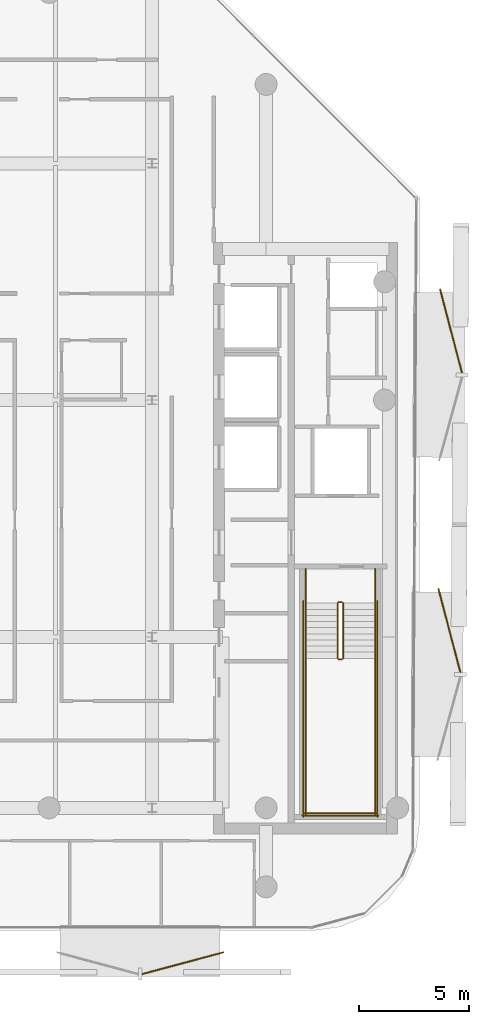
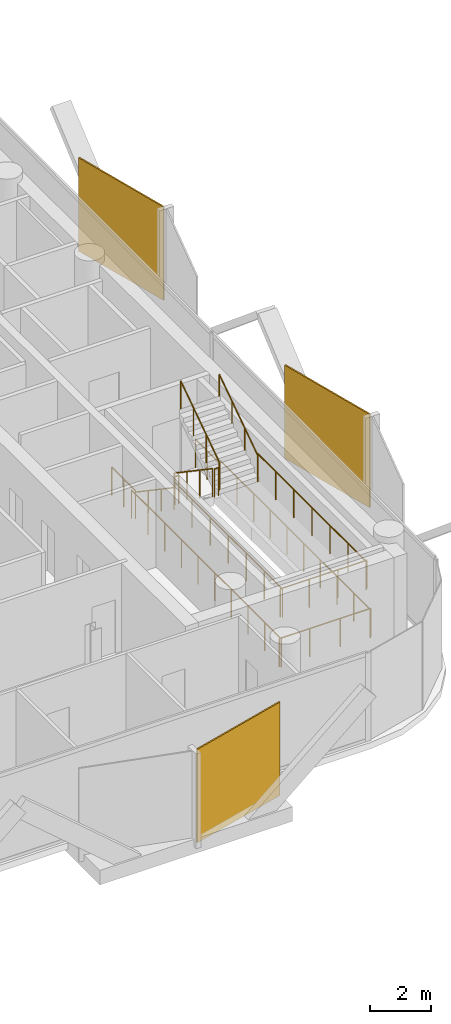
# One storey, part 16 of 17: 14 railings, 3 coverings.
"""IFC4 building model written with IfcOpenShell, lengths in metres."""

from ifc_helpers import new_model, si_unit, direction, frame, origin, origin_2d, place, context, subcontext, project, spatial, rectangle, circle, extrude, material, layer, layer_set, type_object, element, save


model = new_model("IFC4")

# Units and contexts
model_context = context("Model", 3, precision=1e-05, world=origin(), true_north=direction((0.0, 1.0)))
body_context = subcontext(model_context, "Body", "Model", "MODEL_VIEW")
ifc_project = project(units=[si_unit("LENGTHUNIT", "METRE"), si_unit("AREAUNIT", "SQUARE_METRE"), si_unit("VOLUMEUNIT", "CUBIC_METRE"), si_unit("PLANEANGLEUNIT", "RADIAN"), si_unit("MASSUNIT", "GRAM", prefix="KILO")], contexts=[model_context])

# Site, building, storey
site_placement = place(None, origin())
site = spatial("IfcSite", under=ifc_project, at=site_placement, CompositionType="ELEMENT")
building_placement = place(site_placement, origin())
building = spatial("IfcBuilding", under=site, at=building_placement, Name="Khairoan Windgate Tower", CompositionType="ELEMENT")
storey_placement = place(building_placement, frame((0.0, 0.0, 308.0)))
storey = spatial("IfcBuildingStorey", under=building, at=storey_placement, Name="L74", CompositionType="ELEMENT", Elevation=308.0)

# Coverings
ifc_material_1 = material(Name="Anodised Bronze Aluminium 6063-T6", Category="aluminium")
ifc_layer = layer(ifc_material_1, 0.054931640625, Name="Anodised Bronze Aluminium 6063-T6")
ifc_layer_set = layer_set([ifc_layer], Name="Anodised Bronze Aluminium 6063-T6")
covering_type = type_object("IfcCoveringType", Name="Perforated Bronze-Ceramic Folded Solar Screen Cladding BSC-1", PredefinedType="CLADDING", material=ifc_layer_set)
covering_placement = place(storey_placement, frame((10.605712890625, -25.68212890625, -0.10009765625), z_axis=(0.0, 0.0, 1.0), x_axis=(-0.965925826289, -0.258819045103, 0.0)))
element("IfcCovering", 1, at=covering_placement, inside=storey, type_object=covering_type, Name="L74 Folded Bronze Solar Screen Facet 518L", PredefinedType="CLADDING", context=body_context, shape_type="SweptSolid", body=[
    extrude(rectangle(XDim=3.846923828125, YDim=0.054931640625, at=origin_2d()), origin(), (0.0, 0.0, 1.0), 3.739990234375),
])
for number, where, z_axis, x_axis, name in (
    (2, (22.834228515625, 3.147705078125, -0.10009765625), (0.0, 0.0, 1.0), (0.253420288991, -0.967356272077, 0.0), "L74 Folded Bronze Solar Screen Facet 524L"),
    (3, (22.759033203125, -10.509033203125, -0.10009765625), (0.0, 0.0, 1.0), (0.253420288991, -0.967356272077, 0.0), "L74 Folded Bronze Solar Screen Facet 525L"),
):
    element("IfcCovering", number, at=place(storey_placement, frame(where, z_axis=z_axis, x_axis=x_axis)), inside=storey, type_object=covering_type, Name=name, PredefinedType="CLADDING", context=body_context, shape_type="SweptSolid", body=[
        extrude(rectangle(XDim=3.9609375, YDim=0.054931640625, at=origin_2d()), origin(), (0.0, 0.0, 1.0), 3.739990234375),
    ])

# Railings
ifc_material_2 = material(Name="Anodised Bronze Aluminium 6063-T6", Category="aluminium")
railing_type_1 = type_object("IfcRailingType", Name="Stair Wall Handrail SHR-900", PredefinedType="HANDRAIL", material=ifc_material_2)
railing_1_placement = place(storey_placement, frame((16.199951171875, -9.260009765625, 0.18994140625)))
element("IfcRailing", 4, at=railing_1_placement, inside=storey, type_object=railing_type_1, Name="L74 ST1 stair handrail 1", PredefinedType="HANDRAIL", context=body_context, shape_type="SweptSolid", body=[
    extrude(circle(Radius=0.02392578125, at=origin_2d()), frame((0.0, 0.0, 0.8759765625), z_axis=(0.0, -0.827483756001, 0.561489655786), x_axis=(1.0, 0.0, 0.0)), (0.0, 0.0, 1.0), 3.04541015625),
    extrude(circle(Radius=0.02099609375, at=origin_2d()), origin(), (0.0, 0.0, 1.0), 0.851806640625),
    extrude(circle(Radius=0.02099609375, at=origin_2d()), frame((0.0, -0.840087890625, 0.570068359375)), (0.0, 0.0, 1.0), 0.851806640625),
    extrude(circle(Radius=0.02099609375, at=origin_2d()), frame((0.0, -1.679931640625, 1.139892578125)), (0.0, 0.0, 1.0), 0.851806640625),
    extrude(circle(Radius=0.02099609375, at=origin_2d()), frame((0.0, -2.52001953125, 1.7099609375)), (0.0, 0.0, 1.0), 0.851806640625),
])
railing_2_placement = place(storey_placement, frame((19.3701171875, -11.780029296875, 2.090087890625)))
element("IfcRailing", 5, at=railing_2_placement, inside=storey, type_object=railing_type_1, Name="L74 ST1 stair handrail 2", PredefinedType="HANDRAIL", context=body_context, shape_type="SweptSolid", body=[
    extrude(circle(Radius=0.02392578125, at=origin_2d()), frame((0.0, 0.0, 0.8759765625), z_axis=(0.0, 0.827483756001, 0.561489655786), x_axis=(-1.0, 0.0, 0.0)), (0.0, 0.0, 1.0), 3.04541015625),
    extrude(circle(Radius=0.02099609375, at=origin_2d()), origin(), (0.0, 0.0, 1.0), 0.851806640625),
    extrude(circle(Radius=0.02099609375, at=origin_2d()), frame((0.0, 0.840087890625, 0.570068359375)), (0.0, 0.0, 1.0), 0.851806640625),
    extrude(circle(Radius=0.02099609375, at=origin_2d()), frame((0.0, 1.679931640625, 1.139892578125)), (0.0, 0.0, 1.0), 0.851806640625),
    extrude(circle(Radius=0.02099609375, at=origin_2d()), frame((0.0, 2.52001953125, 1.7099609375)), (0.0, 0.0, 1.0), 0.851806640625),
])
ifc_material_3 = material(Name="Steel S355", Category="steel")
railing_type_2 = type_object("IfcRailingType", Name="Stairwell Safety Guardrail SGR-1150", PredefinedType="GUARDRAIL", material=ifc_material_3)
railing_3_placement = place(storey_placement, frame((17.659912109375, -9.260009765625, 0.18994140625)))
element("IfcRailing", 6, at=railing_3_placement, inside=storey, type_object=railing_type_2, Name="L74 ST1 stair guard 1", PredefinedType="GUARDRAIL", context=body_context, shape_type="SweptSolid", body=[
    extrude(circle(Radius=0.02392578125, at=origin_2d()), frame((0.0, 0.0, 1.1259765625), z_axis=(0.0, -0.827483756001, 0.561489655786), x_axis=(1.0, 0.0, 0.0)), (0.0, 0.0, 1.0), 3.04541015625),
    extrude(circle(Radius=0.02099609375, at=origin_2d()), origin(), (0.0, 0.0, 1.0), 1.101806640625),
    extrude(circle(Radius=0.02099609375, at=origin_2d()), frame((0.0, -0.840087890625, 0.570068359375)), (0.0, 0.0, 1.0), 1.101806640625),
    extrude(circle(Radius=0.02099609375, at=origin_2d()), frame((0.0, -1.679931640625, 1.139892578125)), (0.0, 0.0, 1.0), 1.101806640625),
    extrude(circle(Radius=0.02099609375, at=origin_2d()), frame((0.0, -2.52001953125, 1.7099609375)), (0.0, 0.0, 1.0), 1.101806640625),
])
railing_4_placement = place(storey_placement, frame((17.7099609375, -11.830078125, 1.89990234375)))
element("IfcRailing", 7, at=railing_4_placement, inside=storey, type_object=railing_type_2, Name="L74 ST1 stair guard 2", PredefinedType="GUARDRAIL", context=body_context, shape_type="SweptSolid", body=[
    extrude(circle(Radius=0.02392578125, at=origin_2d()), frame((0.0, 0.0, 1.1259765625), z_axis=(1.0, 0.0, 0.0), x_axis=(0.0, 1.0, 0.0)), (0.0, 0.0, 1.0), 0.150146484375),
    extrude(circle(Radius=0.02099609375, at=origin_2d()), origin(), (0.0, 0.0, 1.0), 1.101806640625),
    extrude(circle(Radius=0.02099609375, at=origin_2d()), frame((0.150146484375, 0.0, 0.0)), (0.0, 0.0, 1.0), 1.101806640625),
])
for number, where, name in (
    (8, (16.199951171875, -11.780029296875, 1.89990234375), "L74 ST1 stair guard 3"),
    (9, (19.3701171875, -11.780029296875, 1.89990234375), "L74 ST1 stair guard 4"),
):
    element("IfcRailing", number, at=place(storey_placement, frame(where)), inside=storey, type_object=railing_type_2, Name=name, PredefinedType="GUARDRAIL", context=body_context, shape_type="SweptSolid", body=[
        extrude(circle(Radius=0.02392578125, at=origin_2d()), frame((0.0, 0.0, 1.1259765625), z_axis=(0.0, -1.0, 0.0), x_axis=(1.0, 0.0, 0.0)), (0.0, 0.0, 1.0), 7.119873046875),
        extrude(circle(Radius=0.02099609375, at=origin_2d()), origin(), (0.0, 0.0, 1.0), 1.101806640625),
        extrude(circle(Radius=0.02099609375, at=origin_2d()), frame((0.0, -1.1865234375, 0.0)), (0.0, 0.0, 1.0), 1.101806640625),
        extrude(circle(Radius=0.02099609375, at=origin_2d()), frame((0.0, -2.373291015625, 0.0)), (0.0, 0.0, 1.0), 1.101806640625),
        extrude(circle(Radius=0.02099609375, at=origin_2d()), frame((0.0, -3.56005859375, 0.0)), (0.0, 0.0, 1.0), 1.101806640625),
        extrude(circle(Radius=0.02099609375, at=origin_2d()), frame((0.0, -4.74658203125, 0.0)), (0.0, 0.0, 1.0), 1.101806640625),
        extrude(circle(Radius=0.02099609375, at=origin_2d()), frame((0.0, -5.93310546875, 0.0)), (0.0, 0.0, 1.0), 1.101806640625),
        extrude(circle(Radius=0.02099609375, at=origin_2d()), frame((0.0, -7.119873046875, 0.0)), (0.0, 0.0, 1.0), 1.101806640625),
    ])
railing_5_placement = place(storey_placement, frame((16.14990234375, -18.85009765625, 1.89990234375)))
element("IfcRailing", 10, at=railing_5_placement, inside=storey, type_object=railing_type_2, Name="L74 ST1 stair guard 5", PredefinedType="GUARDRAIL", context=body_context, shape_type="SweptSolid", body=[
    extrude(circle(Radius=0.02392578125, at=origin_2d()), frame((0.0, 0.0, 1.1259765625), z_axis=(1.0, 0.0, 0.0), x_axis=(0.0, 1.0, 0.0)), (0.0, 0.0, 1.0), 3.27001953125),
    extrude(circle(Radius=0.02099609375, at=origin_2d()), origin(), (0.0, 0.0, 1.0), 1.101806640625),
    extrude(circle(Radius=0.02099609375, at=origin_2d()), frame((1.090087890625, 0.0, 0.0)), (0.0, 0.0, 1.0), 1.101806640625),
    extrude(circle(Radius=0.02099609375, at=origin_2d()), frame((2.179931640625, 0.0, 0.0)), (0.0, 0.0, 1.0), 1.101806640625),
    extrude(circle(Radius=0.02099609375, at=origin_2d()), frame((3.27001953125, 0.0, 0.0)), (0.0, 0.0, 1.0), 1.101806640625),
])
railing_6_placement = place(storey_placement, frame((17.909912109375, -11.780029296875, 2.090087890625)))
element("IfcRailing", 11, at=railing_6_placement, inside=storey, type_object=railing_type_2, Name="L74 ST1 stair guard 6", PredefinedType="GUARDRAIL", context=body_context, shape_type="SweptSolid", body=[
    extrude(circle(Radius=0.02392578125, at=origin_2d()), frame((0.0, 0.0, 1.1259765625), z_axis=(0.0, 0.827483756001, 0.561489655786), x_axis=(-1.0, 0.0, 0.0)), (0.0, 0.0, 1.0), 3.04541015625),
    extrude(circle(Radius=0.02099609375, at=origin_2d()), origin(), (0.0, 0.0, 1.0), 1.101806640625),
    extrude(circle(Radius=0.02099609375, at=origin_2d()), frame((0.0, 0.840087890625, 0.570068359375)), (0.0, 0.0, 1.0), 1.101806640625),
    extrude(circle(Radius=0.02099609375, at=origin_2d()), frame((0.0, 1.679931640625, 1.139892578125)), (0.0, 0.0, 1.0), 1.101806640625),
    extrude(circle(Radius=0.02099609375, at=origin_2d()), frame((0.0, 2.52001953125, 1.7099609375)), (0.0, 0.0, 1.0), 1.101806640625),
])
railing_7_placement = place(storey_placement, frame((17.7099609375, -9.2099609375, 0.0)))
element("IfcRailing", 12, at=railing_7_placement, inside=storey, type_object=railing_type_2, Name="L74 ST1 stair guard 7", PredefinedType="GUARDRAIL", context=body_context, shape_type="SweptSolid", body=[
    extrude(circle(Radius=0.02392578125, at=origin_2d()), frame((0.0, 0.0, 1.1259765625), z_axis=(1.0, 0.0, 0.0), x_axis=(0.0, 1.0, 0.0)), (0.0, 0.0, 1.0), 0.150146484375),
    extrude(circle(Radius=0.02099609375, at=origin_2d()), origin(), (0.0, 0.0, 1.0), 1.101806640625),
    extrude(circle(Radius=0.02099609375, at=origin_2d()), frame((0.150146484375, 0.0, 0.0)), (0.0, 0.0, 1.0), 1.101806640625),
])
for number, where, name in (
    (13, (16.199951171875, -7.699951171875, 0.0), "L74 ST1 stair guard 8"),
    (14, (19.3701171875, -7.699951171875, 0.0), "L74 ST1 stair guard 9"),
):
    element("IfcRailing", number, at=place(storey_placement, frame(where)), inside=storey, type_object=railing_type_2, Name=name, PredefinedType="GUARDRAIL", context=body_context, shape_type="SweptSolid", body=[
        extrude(circle(Radius=0.02392578125, at=origin_2d()), frame((0.0, 0.0, 1.1259765625), z_axis=(0.0, -1.0, 0.0), x_axis=(1.0, 0.0, 0.0)), (0.0, 0.0, 1.0), 1.56005859375),
        extrude(circle(Radius=0.02099609375, at=origin_2d()), origin(), (0.0, 0.0, 1.0), 1.101806640625),
        extrude(circle(Radius=0.02099609375, at=origin_2d()), frame((0.0, -0.780029296875, 0.0)), (0.0, 0.0, 1.0), 1.101806640625),
        extrude(circle(Radius=0.02099609375, at=origin_2d()), frame((0.0, -1.56005859375, 0.0)), (0.0, 0.0, 1.0), 1.101806640625),
    ])
for number, where, name in (
    (15, (16.10009765625, -9.159912109375, 0.0), "L74 ST1 stair guard 10"),
    (16, (19.469970703125, -9.159912109375, 0.0), "L74 ST1 stair guard 11"),
):
    element("IfcRailing", number, at=place(storey_placement, frame(where)), inside=storey, type_object=railing_type_2, Name=name, PredefinedType="GUARDRAIL", context=body_context, shape_type="SweptSolid", body=[
        extrude(circle(Radius=0.02392578125, at=origin_2d()), frame((0.0, 0.0, 1.1259765625), z_axis=(0.0, -1.0, 0.0), x_axis=(1.0, 0.0, 0.0)), (0.0, 0.0, 1.0), 9.840087890625),
        extrude(circle(Radius=0.02099609375, at=origin_2d()), origin(), (0.0, 0.0, 1.0), 1.101806640625),
        extrude(circle(Radius=0.02099609375, at=origin_2d()), frame((0.0, -1.09326171875, 0.0)), (0.0, 0.0, 1.0), 1.101806640625),
        extrude(circle(Radius=0.02099609375, at=origin_2d()), frame((0.0, -2.186767578125, 0.0)), (0.0, 0.0, 1.0), 1.101806640625),
        extrude(circle(Radius=0.02099609375, at=origin_2d()), frame((0.0, -3.280029296875, 0.0)), (0.0, 0.0, 1.0), 1.101806640625),
        extrude(circle(Radius=0.02099609375, at=origin_2d()), frame((0.0, -4.373291015625, 0.0)), (0.0, 0.0, 1.0), 1.101806640625),
        extrude(circle(Radius=0.02099609375, at=origin_2d()), frame((0.0, -5.466796875, 0.0)), (0.0, 0.0, 1.0), 1.101806640625),
        extrude(circle(Radius=0.02099609375, at=origin_2d()), frame((0.0, -6.56005859375, 0.0)), (0.0, 0.0, 1.0), 1.101806640625),
        extrude(circle(Radius=0.02099609375, at=origin_2d()), frame((0.0, -7.6533203125, 0.0)), (0.0, 0.0, 1.0), 1.101806640625),
        extrude(circle(Radius=0.02099609375, at=origin_2d()), frame((0.0, -8.746826171875, 0.0)), (0.0, 0.0, 1.0), 1.101806640625),
        extrude(circle(Radius=0.02099609375, at=origin_2d()), frame((0.0, -9.840087890625, 0.0)), (0.0, 0.0, 1.0), 1.101806640625),
    ])
railing_8_placement = place(storey_placement, frame((16.050048828125, -18.949951171875, 0.0)))
element("IfcRailing", 17, at=railing_8_placement, inside=storey, type_object=railing_type_2, Name="L74 ST1 stair guard 12", PredefinedType="GUARDRAIL", context=body_context, shape_type="SweptSolid", body=[
    extrude(circle(Radius=0.02392578125, at=origin_2d()), frame((0.0, 0.0, 1.1259765625), z_axis=(1.0, 0.0, 0.0), x_axis=(0.0, 1.0, 0.0)), (0.0, 0.0, 1.0), 3.469970703125),
    extrude(circle(Radius=0.02099609375, at=origin_2d()), origin(), (0.0, 0.0, 1.0), 1.101806640625),
    extrude(circle(Radius=0.02099609375, at=origin_2d()), frame((1.15673828125, 0.0, 0.0)), (0.0, 0.0, 1.0), 1.101806640625),
    extrude(circle(Radius=0.02099609375, at=origin_2d()), frame((2.313232421875, 0.0, 0.0)), (0.0, 0.0, 1.0), 1.101806640625),
    extrude(circle(Radius=0.02099609375, at=origin_2d()), frame((3.469970703125, 0.0, 0.0)), (0.0, 0.0, 1.0), 1.101806640625),
])

save(model, "model.ifc")
